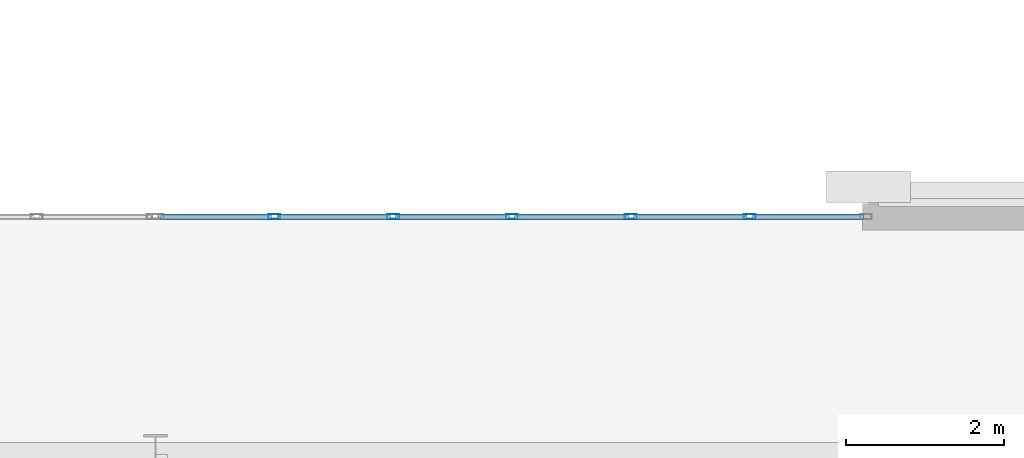
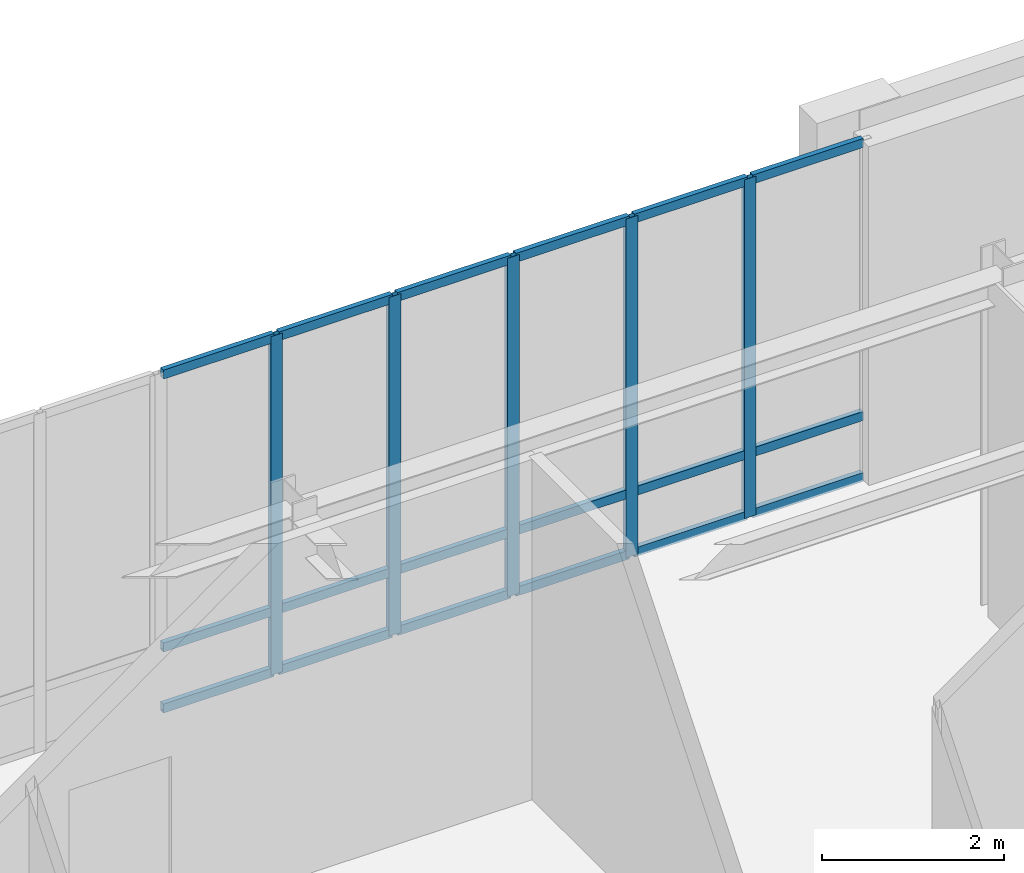
# One storey, part 27 of 98: 23 members, 1 element without a shape of its own.
"""IFC4 building model written with IfcOpenShell, lengths in metres."""

from ifc_helpers import new_model, si_unit, direction, frame, origin, origin_2d, place, context, subcontext, project, spatial, hollow_rectangle, extrude, material, material_profile, profile_set, type_object, element, aggregate, save


model = new_model("IFC4")

# Units and contexts
model_context = context("Model", 3, precision=1e-05, world=origin(), true_north=direction((0.0, 1.0)))
body_context = subcontext(model_context, "Body", "Model", "MODEL_VIEW")
ifc_project = project(units=[si_unit("LENGTHUNIT", "METRE"), si_unit("AREAUNIT", "SQUARE_METRE"), si_unit("VOLUMEUNIT", "CUBIC_METRE"), si_unit("PLANEANGLEUNIT", "RADIAN"), si_unit("MASSUNIT", "GRAM", prefix="KILO")], contexts=[model_context])

# Site, building, storey
site_placement = place(None, origin())
site = spatial("IfcSite", under=ifc_project, at=site_placement, CompositionType="ELEMENT")
building_placement = place(site_placement, origin())
building = spatial("IfcBuilding", under=site, at=building_placement, Name="Lykobir Media Centre", CompositionType="ELEMENT")
storey_placement = place(building_placement, frame((0.0, 0.0, 10.199951171875)))
storey = spatial("IfcBuildingStorey", under=building, at=storey_placement, Name="L02", CompositionType="ELEMENT", Elevation=10.199951171875)

# Curtain wall, members
ifc_material = material(Name="Anodized Aluminium AW-6060", Category="aluminium")
curtain_wall_type = type_object("IfcCurtainWallType", Name="CW-COURT-A", PredefinedType="NOTDEFINED", material=ifc_material)
curtain_wall_placement = place(storey_placement, origin())
curtain_wall = element("IfcCurtainWall", 1, at=curtain_wall_placement, inside=storey, type_object=curtain_wall_type, Name="Curtain wall CW2-L02-0076", PredefinedType="NOTDEFINED")
ifc_material_profile_1 = material_profile(ifc_material, hollow_rectangle(XDim=0.06494140625, YDim=0.14990234375, WallThickness=0.00341796875, at=origin_2d()), Name="ALU MULLION 65x150")
ifc_profile_set_1 = profile_set([ifc_material_profile_1], Name="Anodized Aluminium AW-6060")
member_type_1 = type_object("IfcMemberType", Name="CWM-150", PredefinedType="MULLION", material=ifc_profile_set_1)
member_1_placement = place(storey_placement, frame((64.5, 21.0, 0.0), z_axis=(0.0, 0.0, 1.0), x_axis=(0.0, 1.0, 0.0)))
member_1 = element("IfcMember", 2, at=member_1_placement, type_object=member_type_1, Name="CW2-L02-0076 mullion 2", PredefinedType="MULLION", context=body_context, shape_type="SweptSolid", body=[
    extrude(hollow_rectangle(XDim=0.06494140625, YDim=0.14990234375, WallThickness=0.00341796875, at=origin_2d()), origin(), (0.0, 0.0, 1.0), 4.5400390625),
])
member_2_placement = place(storey_placement, frame((66.0, 21.0, 0.0), z_axis=(0.0, 0.0, 1.0), x_axis=(0.0, 1.0, 0.0)))
member_2 = element("IfcMember", 3, at=member_2_placement, type_object=member_type_1, Name="CW2-L02-0076 mullion 3", PredefinedType="MULLION", context=body_context, shape_type="SweptSolid", body=[
    extrude(hollow_rectangle(XDim=0.06494140625, YDim=0.14990234375, WallThickness=0.00341796875, at=origin_2d()), origin(), (0.0, 0.0, 1.0), 4.5400390625),
])
member_3_placement = place(storey_placement, frame((67.5, 21.0, 0.0), z_axis=(0.0, 0.0, 1.0), x_axis=(0.0, 1.0, 0.0)))
member_3 = element("IfcMember", 4, at=member_3_placement, type_object=member_type_1, Name="CW2-L02-0076 mullion 4", PredefinedType="MULLION", context=body_context, shape_type="SweptSolid", body=[
    extrude(hollow_rectangle(XDim=0.06494140625, YDim=0.14990234375, WallThickness=0.00341796875, at=origin_2d()), origin(), (0.0, 0.0, 1.0), 4.5400390625),
])
member_4_placement = place(storey_placement, frame((69.0, 21.0, 0.0), z_axis=(0.0, 0.0, 1.0), x_axis=(0.0, 1.0, 0.0)))
member_4 = element("IfcMember", 5, at=member_4_placement, type_object=member_type_1, Name="CW2-L02-0076 mullion 5", PredefinedType="MULLION", context=body_context, shape_type="SweptSolid", body=[
    extrude(hollow_rectangle(XDim=0.06494140625, YDim=0.14990234375, WallThickness=0.00341796875, at=origin_2d()), origin(), (0.0, 0.0, 1.0), 4.5400390625),
])
member_5_placement = place(storey_placement, frame((70.5, 21.0, 0.0), z_axis=(0.0, 0.0, 1.0), x_axis=(0.0, 1.0, 0.0)))
member_5 = element("IfcMember", 6, at=member_5_placement, type_object=member_type_1, Name="CW2-L02-0076 mullion 6", PredefinedType="MULLION", context=body_context, shape_type="SweptSolid", body=[
    extrude(hollow_rectangle(XDim=0.06494140625, YDim=0.14990234375, WallThickness=0.00341796875, at=origin_2d()), origin(), (0.0, 0.0, 1.0), 4.5400390625),
])
ifc_material_profile_2 = material_profile(ifc_material, hollow_rectangle(XDim=0.06494140625, YDim=0.1201171875, WallThickness=0.0029296875, at=origin_2d()), Name="ALU TRANSOM 65x120")
ifc_profile_set_2 = profile_set([ifc_material_profile_2], Name="Anodized Aluminium AW-6060")
member_type_2 = type_object("IfcMemberType", Name="CWT-120", PredefinedType="USERDEFINED", material=ifc_profile_set_2)
member_6_placement = place(storey_placement, frame((63.06494140625, 21.0, 0.032470703125), z_axis=(1.0, 0.0, 0.0), x_axis=(0.0, 1.0, 0.0)))
member_6 = element("IfcMember", 7, at=member_6_placement, type_object=member_type_2, Name="CW2-L02-0076 transom 1.1", ObjectType="TRANSOM", PredefinedType="USERDEFINED", context=body_context, shape_type="SweptSolid", body=[
    extrude(hollow_rectangle(XDim=0.06494140625, YDim=0.1201171875, WallThickness=0.0029296875, at=origin_2d()), origin(), (0.0, 0.0, 1.0), 1.402587890625),
])
member_7_placement = place(storey_placement, frame((63.06494140625, 21.0, 0.85009765625), z_axis=(1.0, 0.0, 0.0), x_axis=(0.0, 1.0, 0.0)))
member_7 = element("IfcMember", 8, at=member_7_placement, type_object=member_type_2, Name="CW2-L02-0076 transom 1.2", ObjectType="TRANSOM", PredefinedType="USERDEFINED", context=body_context, shape_type="SweptSolid", body=[
    extrude(hollow_rectangle(XDim=0.06494140625, YDim=0.1201171875, WallThickness=0.0029296875, at=origin_2d()), origin(), (0.0, 0.0, 1.0), 1.402587890625),
])
member_8_placement = place(storey_placement, frame((63.06494140625, 21.0, 4.507568359375), z_axis=(1.0, 0.0, 0.0), x_axis=(0.0, 1.0, 0.0)))
member_8 = element("IfcMember", 9, at=member_8_placement, type_object=member_type_2, Name="CW2-L02-0076 transom 1.3", ObjectType="TRANSOM", PredefinedType="USERDEFINED", context=body_context, shape_type="SweptSolid", body=[
    extrude(hollow_rectangle(XDim=0.06494140625, YDim=0.1201171875, WallThickness=0.0029296875, at=origin_2d()), origin(), (0.0, 0.0, 1.0), 1.402587890625),
])
member_9_placement = place(storey_placement, frame((64.532470703125, 21.0, 0.032470703125), z_axis=(1.0, 0.0, 0.0), x_axis=(0.0, 1.0, 0.0)))
member_9 = element("IfcMember", 10, at=member_9_placement, type_object=member_type_2, Name="CW2-L02-0076 transom 2.1", ObjectType="TRANSOM", PredefinedType="USERDEFINED", context=body_context, shape_type="SweptSolid", body=[
    extrude(hollow_rectangle(XDim=0.06494140625, YDim=0.1201171875, WallThickness=0.0029296875, at=origin_2d()), origin(), (0.0, 0.0, 1.0), 1.43505859375),
])
member_10_placement = place(storey_placement, frame((64.532470703125, 21.0, 0.85009765625), z_axis=(1.0, 0.0, 0.0), x_axis=(0.0, 1.0, 0.0)))
member_10 = element("IfcMember", 11, at=member_10_placement, type_object=member_type_2, Name="CW2-L02-0076 transom 2.2", ObjectType="TRANSOM", PredefinedType="USERDEFINED", context=body_context, shape_type="SweptSolid", body=[
    extrude(hollow_rectangle(XDim=0.06494140625, YDim=0.1201171875, WallThickness=0.0029296875, at=origin_2d()), origin(), (0.0, 0.0, 1.0), 1.43505859375),
])
member_11_placement = place(storey_placement, frame((64.532470703125, 21.0, 4.507568359375), z_axis=(1.0, 0.0, 0.0), x_axis=(0.0, 1.0, 0.0)))
member_11 = element("IfcMember", 12, at=member_11_placement, type_object=member_type_2, Name="CW2-L02-0076 transom 2.3", ObjectType="TRANSOM", PredefinedType="USERDEFINED", context=body_context, shape_type="SweptSolid", body=[
    extrude(hollow_rectangle(XDim=0.06494140625, YDim=0.1201171875, WallThickness=0.0029296875, at=origin_2d()), origin(), (0.0, 0.0, 1.0), 1.43505859375),
])
member_12_placement = place(storey_placement, frame((66.032470703125, 21.0, 0.032470703125), z_axis=(1.0, 0.0, 0.0), x_axis=(0.0, 1.0, 0.0)))
member_12 = element("IfcMember", 13, at=member_12_placement, type_object=member_type_2, Name="CW2-L02-0076 transom 3.1", ObjectType="TRANSOM", PredefinedType="USERDEFINED", context=body_context, shape_type="SweptSolid", body=[
    extrude(hollow_rectangle(XDim=0.06494140625, YDim=0.1201171875, WallThickness=0.0029296875, at=origin_2d()), origin(), (0.0, 0.0, 1.0), 1.43505859375),
])
member_13_placement = place(storey_placement, frame((66.032470703125, 21.0, 0.85009765625), z_axis=(1.0, 0.0, 0.0), x_axis=(0.0, 1.0, 0.0)))
member_13 = element("IfcMember", 14, at=member_13_placement, type_object=member_type_2, Name="CW2-L02-0076 transom 3.2", ObjectType="TRANSOM", PredefinedType="USERDEFINED", context=body_context, shape_type="SweptSolid", body=[
    extrude(hollow_rectangle(XDim=0.06494140625, YDim=0.1201171875, WallThickness=0.0029296875, at=origin_2d()), origin(), (0.0, 0.0, 1.0), 1.43505859375),
])
member_14_placement = place(storey_placement, frame((66.032470703125, 21.0, 4.507568359375), z_axis=(1.0, 0.0, 0.0), x_axis=(0.0, 1.0, 0.0)))
member_14 = element("IfcMember", 15, at=member_14_placement, type_object=member_type_2, Name="CW2-L02-0076 transom 3.3", ObjectType="TRANSOM", PredefinedType="USERDEFINED", context=body_context, shape_type="SweptSolid", body=[
    extrude(hollow_rectangle(XDim=0.06494140625, YDim=0.1201171875, WallThickness=0.0029296875, at=origin_2d()), origin(), (0.0, 0.0, 1.0), 1.43505859375),
])
member_15_placement = place(storey_placement, frame((67.532470703125, 21.0, 0.032470703125), z_axis=(1.0, 0.0, 0.0), x_axis=(0.0, 1.0, 0.0)))
member_15 = element("IfcMember", 16, at=member_15_placement, type_object=member_type_2, Name="CW2-L02-0076 transom 4.1", ObjectType="TRANSOM", PredefinedType="USERDEFINED", context=body_context, shape_type="SweptSolid", body=[
    extrude(hollow_rectangle(XDim=0.06494140625, YDim=0.1201171875, WallThickness=0.0029296875, at=origin_2d()), origin(), (0.0, 0.0, 1.0), 1.43505859375),
])
member_16_placement = place(storey_placement, frame((67.532470703125, 21.0, 0.85009765625), z_axis=(1.0, 0.0, 0.0), x_axis=(0.0, 1.0, 0.0)))
member_16 = element("IfcMember", 17, at=member_16_placement, type_object=member_type_2, Name="CW2-L02-0076 transom 4.2", ObjectType="TRANSOM", PredefinedType="USERDEFINED", context=body_context, shape_type="SweptSolid", body=[
    extrude(hollow_rectangle(XDim=0.06494140625, YDim=0.1201171875, WallThickness=0.0029296875, at=origin_2d()), origin(), (0.0, 0.0, 1.0), 1.43505859375),
])
member_17_placement = place(storey_placement, frame((67.532470703125, 21.0, 4.507568359375), z_axis=(1.0, 0.0, 0.0), x_axis=(0.0, 1.0, 0.0)))
member_17 = element("IfcMember", 18, at=member_17_placement, type_object=member_type_2, Name="CW2-L02-0076 transom 4.3", ObjectType="TRANSOM", PredefinedType="USERDEFINED", context=body_context, shape_type="SweptSolid", body=[
    extrude(hollow_rectangle(XDim=0.06494140625, YDim=0.1201171875, WallThickness=0.0029296875, at=origin_2d()), origin(), (0.0, 0.0, 1.0), 1.43505859375),
])
member_18_placement = place(storey_placement, frame((69.032470703125, 21.0, 0.032470703125), z_axis=(1.0, 0.0, 0.0), x_axis=(0.0, 1.0, 0.0)))
member_18 = element("IfcMember", 19, at=member_18_placement, type_object=member_type_2, Name="CW2-L02-0076 transom 5.1", ObjectType="TRANSOM", PredefinedType="USERDEFINED", context=body_context, shape_type="SweptSolid", body=[
    extrude(hollow_rectangle(XDim=0.06494140625, YDim=0.1201171875, WallThickness=0.0029296875, at=origin_2d()), origin(), (0.0, 0.0, 1.0), 1.43505859375),
])
member_19_placement = place(storey_placement, frame((69.032470703125, 21.0, 0.85009765625), z_axis=(1.0, 0.0, 0.0), x_axis=(0.0, 1.0, 0.0)))
member_19 = element("IfcMember", 20, at=member_19_placement, type_object=member_type_2, Name="CW2-L02-0076 transom 5.2", ObjectType="TRANSOM", PredefinedType="USERDEFINED", context=body_context, shape_type="SweptSolid", body=[
    extrude(hollow_rectangle(XDim=0.06494140625, YDim=0.1201171875, WallThickness=0.0029296875, at=origin_2d()), origin(), (0.0, 0.0, 1.0), 1.43505859375),
])
member_20_placement = place(storey_placement, frame((69.032470703125, 21.0, 4.507568359375), z_axis=(1.0, 0.0, 0.0), x_axis=(0.0, 1.0, 0.0)))
member_20 = element("IfcMember", 21, at=member_20_placement, type_object=member_type_2, Name="CW2-L02-0076 transom 5.3", ObjectType="TRANSOM", PredefinedType="USERDEFINED", context=body_context, shape_type="SweptSolid", body=[
    extrude(hollow_rectangle(XDim=0.06494140625, YDim=0.1201171875, WallThickness=0.0029296875, at=origin_2d()), origin(), (0.0, 0.0, 1.0), 1.43505859375),
])
member_21_placement = place(storey_placement, frame((70.532470703125, 21.0, 0.032470703125), z_axis=(1.0, 0.0, 0.0), x_axis=(0.0, 1.0, 0.0)))
member_21 = element("IfcMember", 22, at=member_21_placement, type_object=member_type_2, Name="CW2-L02-0076 transom 6.1", ObjectType="TRANSOM", PredefinedType="USERDEFINED", context=body_context, shape_type="SweptSolid", body=[
    extrude(hollow_rectangle(XDim=0.06494140625, YDim=0.1201171875, WallThickness=0.0029296875, at=origin_2d()), origin(), (0.0, 0.0, 1.0), 1.402587890625),
])
member_22_placement = place(storey_placement, frame((70.532470703125, 21.0, 0.85009765625), z_axis=(1.0, 0.0, 0.0), x_axis=(0.0, 1.0, 0.0)))
member_22 = element("IfcMember", 23, at=member_22_placement, type_object=member_type_2, Name="CW2-L02-0076 transom 6.2", ObjectType="TRANSOM", PredefinedType="USERDEFINED", context=body_context, shape_type="SweptSolid", body=[
    extrude(hollow_rectangle(XDim=0.06494140625, YDim=0.1201171875, WallThickness=0.0029296875, at=origin_2d()), origin(), (0.0, 0.0, 1.0), 1.402587890625),
])
member_23_placement = place(storey_placement, frame((70.532470703125, 21.0, 4.507568359375), z_axis=(1.0, 0.0, 0.0), x_axis=(0.0, 1.0, 0.0)))
member_23 = element("IfcMember", 24, at=member_23_placement, type_object=member_type_2, Name="CW2-L02-0076 transom 6.3", ObjectType="TRANSOM", PredefinedType="USERDEFINED", context=body_context, shape_type="SweptSolid", body=[
    extrude(hollow_rectangle(XDim=0.06494140625, YDim=0.1201171875, WallThickness=0.0029296875, at=origin_2d()), origin(), (0.0, 0.0, 1.0), 1.402587890625),
])
aggregate(curtain_wall, [member_1, member_2, member_3, member_4, member_5, member_6, member_7, member_8, member_9, member_10, member_11, member_12, member_13, member_14, member_15, member_16, member_17, member_18, member_19, member_20, member_21, member_22, member_23])

save(model, "model.ifc")
